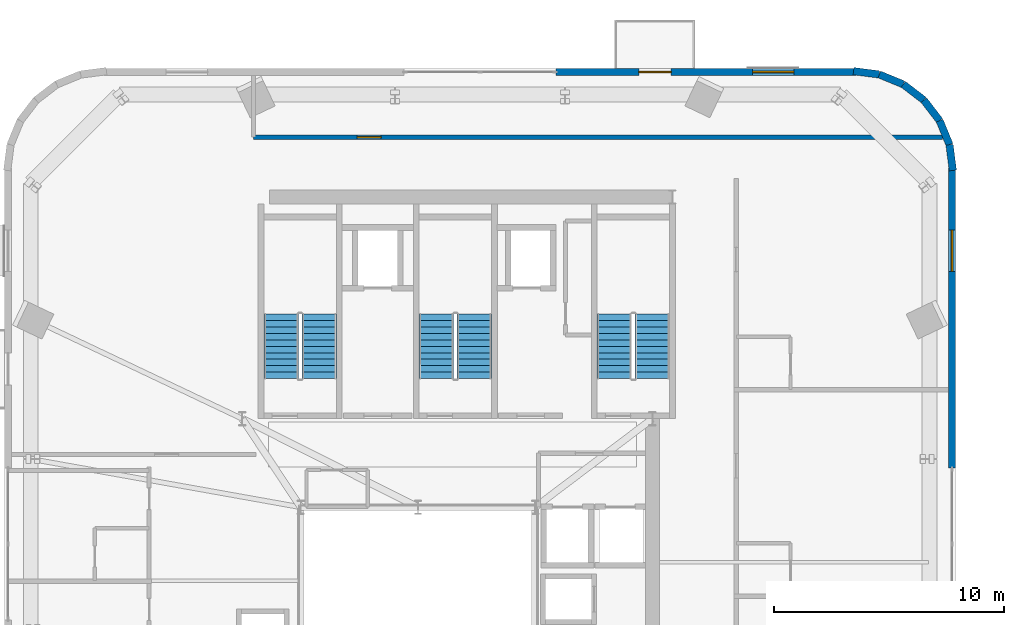
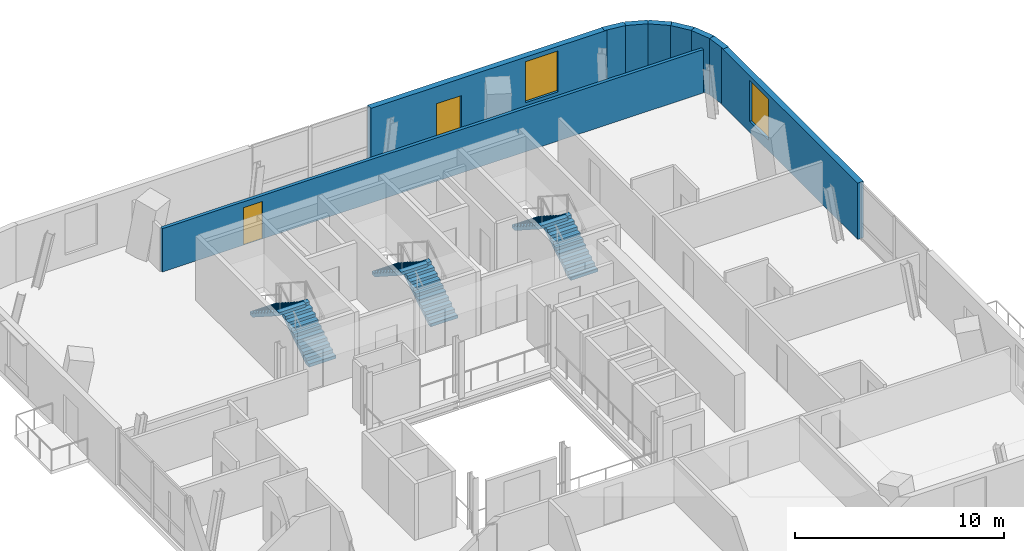
# One storey, part 9 of 13: 9 walls, 6 stair flights, 2 doors, 2 windows, 4 openings, 3 elements without a shape of their own.
"""IFC4 building model written with IfcOpenShell, lengths in metres."""

from ifc_helpers import new_model, si_unit, direction, frame, frame_2d, origin, place, context, subcontext, project, spatial, polyline, rectangle, outline, extrude, source, transform, mapped, material, layer, layer_set, type_object, element, fill, aggregate, save


model = new_model("IFC4")

# Units and contexts
model_context = context("Model", 3, precision=1e-05, world=origin(), true_north=direction((0.0, 1.0)))
body_context = subcontext(model_context, "Body", "Model", "MODEL_VIEW")
ifc_project = project(units=[si_unit("LENGTHUNIT", "METRE"), si_unit("AREAUNIT", "SQUARE_METRE"), si_unit("VOLUMEUNIT", "CUBIC_METRE"), si_unit("PLANEANGLEUNIT", "RADIAN"), si_unit("MASSUNIT", "GRAM", prefix="KILO")], contexts=[model_context])

# Site, building, storey
site_placement = place(None, origin())
site = spatial("IfcSite", under=ifc_project, at=site_placement, CompositionType="ELEMENT")
building_placement = place(site_placement, origin())
building = spatial("IfcBuilding", under=site, at=building_placement, Name="Vardaveli Station Tower", CompositionType="ELEMENT")
storey_placement = place(building_placement, frame((0.0, 0.0, 274.300048828125)))
storey = spatial("IfcBuildingStorey", under=building, at=storey_placement, Name="L70", CompositionType="ELEMENT", Elevation=274.300048828125)

# Wall, openings, door, window
ifc_material_1 = material(Name="Precast concrete C45/55", Category="concrete")
ifc_layer_1 = layer(ifc_material_1, 0.320068359375, Name="Precast concrete C45/55")
ifc_layer_set_1 = layer_set([ifc_layer_1], Name="Precast concrete C45/55")
wall_type_1 = type_object("IfcWallType", Name="WAL-EXT-STONE-320", PredefinedType="SOLIDWALL", material=ifc_layer_set_1)
shared_shape_1 = source(origin(), body_context, "Body", "SweptSolid", [
    extrude(rectangle(XDim=13.052978515625, YDim=0.320068359375, at=frame_2d((6.5263671875, 0.0))), origin(), (0.0, 0.0, 1.0), 3.300048828125),
])
wall_1_placement = place(storey_placement, frame((55.35302734375, 45.739990234375, 0.0), z_axis=(0.0, 0.0, 1.0), x_axis=(-1.0, 0.0, 0.0)))
wall_1 = element("IfcWall", 1, at=wall_1_placement, inside=storey, type_object=wall_type_1, Name="EW-L70-N1", PredefinedType="SOLIDWALL", context=body_context, shape_type="MappedRepresentation", body=[
    mapped(shared_shape_1, transform((0.0, 0.0, 0.0), scale=1.0)),
])
shared_shape_2 = source(origin(), body_context, "Body", "SweptSolid", [
    extrude(rectangle(XDim=1.39990234375, YDim=2.300048828125, at=frame_2d((0.699951171875, 1.14990234375))), frame((0.0, 0.169921875, 0.0), z_axis=(0.0, -1.0, 0.0), x_axis=(1.0, 0.0, 0.0)), (0.0, 0.0, 1.0), 0.340087890625),
])
opening_1_placement = place(wall_1_placement, frame((8.04150390625, 0.0, 0.0)))
opening_1 = element("IfcOpeningElement", 2, at=opening_1_placement, cuts=wall_1, Name="Opening D-09", PredefinedType="OPENING", context=body_context, shape_type="MappedRepresentation", body=[
    mapped(shared_shape_2, transform((0.0, 0.0, 0.0), scale=1.0)),
])
shared_shape_3 = source(origin(), body_context, "Body", "SweptSolid", [
    extrude(rectangle(XDim=1.800048828125, YDim=2.39990234375, at=frame_2d((0.89990234375, 1.199951171875))), frame((0.0, 0.169921875, 0.0), z_axis=(0.0, -1.0, 0.0), x_axis=(1.0, 0.0, 0.0)), (0.0, 0.0, 1.0), 0.340087890625),
])
opening_2_placement = place(wall_1_placement, frame((2.695556640625, 0.0, 0.639892578125)))
opening_2 = element("IfcOpeningElement", 3, at=opening_2_placement, cuts=wall_1, Name="Opening W-05", PredefinedType="OPENING", context=body_context, shape_type="MappedRepresentation", body=[
    mapped(shared_shape_3, transform((0.0, 0.0, 0.0), scale=1.0)),
])
ifc_material_2 = material(Name="Thermally broken aluminium glass", Category="aluminium")
door_type_1 = type_object("IfcDoorType", Name="DR-LOG-1400x2300", OperationType="DOUBLE_DOOR_SLIDING", PredefinedType="DOOR", material=ifc_material_2)
shared_shape_4 = source(origin(), body_context, "Body", "SweptSolid", [
    extrude(rectangle(XDim=1.39990234375, YDim=2.300048828125, at=frame_2d((0.699951171875, 1.14990234375))), frame((0.0, 0.02490234375, 0.0), z_axis=(0.0, -1.0, 0.0), x_axis=(1.0, 0.0, 0.0)), (0.0, 0.0, 1.0), 0.050048828125),
])
door_1_placement = place(opening_1_placement, frame((1.39990234375, 0.0, 0.0), z_axis=(0.0, 0.0, 1.0), x_axis=(-1.0, 0.0, 0.0)))
door_1 = element("IfcDoor", 4, at=door_1_placement, inside=storey, type_object=door_type_1, Name="DLG-L70-N", OperationType="DOUBLE_DOOR_SLIDING", OverallHeight=2.300048828125, OverallWidth=1.39990234375, PredefinedType="DOOR", context=body_context, shape_type="MappedRepresentation", body=[
    mapped(shared_shape_4, transform((0.0, 0.0, 0.0), scale=1.0)),
])
fill(opening_1, door_1)
ifc_material_3 = material(Name="Low-E solar-control glass", Category="glass")
window_type = type_object("IfcWindowType", Name="WIN-HIGH-1800x2400", PartitioningType="SINGLE_PANEL", PredefinedType="WINDOW", material=ifc_material_3)
shared_shape_5 = source(origin(), body_context, "Body", "SweptSolid", [
    extrude(rectangle(XDim=1.800048828125, YDim=2.39990234375, at=frame_2d((0.89990234375, 1.199951171875))), frame((0.0, 0.030029296875, 0.0), z_axis=(0.0, -1.0, 0.0), x_axis=(1.0, 0.0, 0.0)), (0.0, 0.0, 1.0), 0.06005859375),
])
window_1_placement = place(opening_2_placement, origin())
window_1 = element("IfcWindow", 5, at=window_1_placement, inside=storey, type_object=window_type, Name="WN-L70-N1", OverallHeight=2.39990234375, OverallWidth=1.800048828125, PartitioningType="SINGLE_PANEL", PredefinedType="WINDOW", context=body_context, shape_type="MappedRepresentation", body=[
    mapped(shared_shape_5, transform((0.0, 0.0, 0.0), scale=1.0)),
])
fill(opening_2, window_1)

# Wall, opening, window
wall_2_placement = place(storey_placement, frame((59.5400390625, 28.5, 0.0), z_axis=(0.0, 0.0, 1.0), x_axis=(0.0, 1.0, 0.0)))
wall_2 = element("IfcWall", 6, at=wall_2_placement, inside=storey, type_object=wall_type_1, Name="EW-L70-E2", PredefinedType="SOLIDWALL", context=body_context, shape_type="MappedRepresentation", body=[
    mapped(shared_shape_1, transform((0.0, 0.0, 0.0), scale=1.0)),
])
opening_3_placement = place(wall_2_placement, frame((8.557373046875, 0.0, 0.639892578125)))
opening_3 = element("IfcOpeningElement", 7, at=opening_3_placement, cuts=wall_2, Name="Opening W-05", PredefinedType="OPENING", context=body_context, shape_type="MappedRepresentation", body=[
    mapped(shared_shape_3, transform((0.0, 0.0, 0.0), scale=1.0)),
])
window_2_placement = place(opening_3_placement, origin())
window_2 = element("IfcWindow", 8, at=window_2_placement, inside=storey, type_object=window_type, Name="WN-L70-E2", OverallHeight=2.39990234375, OverallWidth=1.800048828125, PartitioningType="SINGLE_PANEL", PredefinedType="WINDOW", context=body_context, shape_type="MappedRepresentation", body=[
    mapped(shared_shape_5, transform((0.0, 0.0, 0.0), scale=1.0)),
])
fill(opening_3, window_2)

# Walls
shared_shape_6 = source(origin(), body_context, "Body", "SweptSolid", [
    extrude(rectangle(XDim=1.1298828125, YDim=0.320068359375, at=frame_2d((0.56494140625, 0.0))), origin(), (0.0, 0.0, 1.0), 3.300048828125),
])
for number, where, z_axis, x_axis, name in (
    (9, (59.574462890625, 41.453857421875, 0.0), (0.0, 0.0, 1.0), (-0.12791648929, 0.991784942297, 0.0), "EW-L70-CR3-1"),
    (10, (56.37451171875, 45.6298828125, 0.0), (0.0, 0.0, 1.0), (-0.991784942297, 0.12791648929, 0.0), "EW-L70-CR3-6"),
):
    element("IfcWall", number, at=place(storey_placement, frame(where, z_axis=z_axis, x_axis=x_axis)), inside=storey, type_object=wall_type_1, Name=name, PredefinedType="SOLIDWALL", context=body_context, shape_type="MappedRepresentation", body=[
        mapped(shared_shape_6, transform((0.0, 0.0, 0.0), scale=1.0)),
    ])
shared_shape_7 = source(origin(), body_context, "Body", "SweptSolid", [
    extrude(rectangle(XDim=1.128662109375, YDim=0.320068359375, at=frame_2d((0.564453125, 0.0))), origin(), (0.0, 0.0, 1.0), 3.300048828125),
])
for number, where, z_axis, x_axis, name in (
    (11, (59.429931640625, 42.574462890625, 0.0), (0.0, 0.0, 1.0), (-0.380880341178, 0.924624337612, 0.0), "EW-L70-CR3-2"),
    (12, (57.418212890625, 45.199951171875, 0.0), (0.0, 0.0, 1.0), (-0.924624337612, 0.380880341178, 0.0), "EW-L70-CR3-5"),
):
    element("IfcWall", number, at=place(storey_placement, frame(where, z_axis=z_axis, x_axis=x_axis)), inside=storey, type_object=wall_type_1, Name=name, PredefinedType="SOLIDWALL", context=body_context, shape_type="MappedRepresentation", body=[
        mapped(shared_shape_7, transform((0.0, 0.0, 0.0), scale=1.0)),
    ])
shared_shape_8 = source(origin(), body_context, "Body", "SweptSolid", [
    extrude(rectangle(XDim=1.128173828125, YDim=0.320068359375, at=frame_2d((0.56396484375, 0.0))), origin(), (0.0, 0.0, 1.0), 3.300048828125),
])
for number, where, z_axis, x_axis, name in (
    (13, (59.0, 43.6181640625, 0.0), (0.0, 0.0, 1.0), (-0.608277074795, 0.793724763554, 0.0), "EW-L70-CR3-3"),
    (14, (58.313720703125, 44.513671875, 0.0), (0.0, 0.0, 1.0), (-0.793724763554, 0.608277074795, 0.0), "EW-L70-CR3-4"),
):
    element("IfcWall", number, at=place(storey_placement, frame(where, z_axis=z_axis, x_axis=x_axis)), inside=storey, type_object=wall_type_1, Name=name, PredefinedType="SOLIDWALL", context=body_context, shape_type="MappedRepresentation", body=[
        mapped(shared_shape_8, transform((0.0, 0.0, 0.0), scale=1.0)),
    ])

# Wall, opening, door
ifc_material_4 = material(Name="Fire-rated gypsum stud partition")
ifc_layer_2 = layer(ifc_material_4, 0.179931640625, Name="Fire-rated gypsum stud partition")
ifc_layer_set_2 = layer_set([ifc_layer_2], Name="Fire-rated gypsum stud partition")
wall_type_2 = type_object("IfcWallType", Name="WAL-CORR-180", PredefinedType="PARTITIONING", material=ifc_layer_set_2)
shared_shape_9 = source(origin(), body_context, "Body", "SweptSolid", [
    extrude(rectangle(XDim=29.970703125, YDim=0.179931640625, at=frame_2d((14.9853515625, 0.0))), origin(), (0.0, 0.0, 1.0), 2.5419921875),
])
wall_3_placement = place(storey_placement, frame((29.14990234375, 42.89990234375, 0.0), z_axis=(0.0, 0.0, 1.0), x_axis=(1.0, 0.0, 0.0)))
wall_3 = element("IfcWall", 15, at=wall_3_placement, inside=storey, type_object=wall_type_2, Name="W-L70-NPS", PredefinedType="PARTITIONING", context=body_context, shape_type="MappedRepresentation", body=[
    mapped(shared_shape_9, transform((0.0, 0.0, 0.0), scale=1.0)),
])
shared_shape_10 = source(origin(), body_context, "Body", "SweptSolid", [
    extrude(rectangle(XDim=1.050048828125, YDim=2.199951171875, at=frame_2d((0.52490234375, 1.10009765625))), frame((0.0, 0.10009765625, 0.0), z_axis=(0.0, -1.0, 0.0), x_axis=(1.0, 0.0, 0.0)), (0.0, 0.0, 1.0), 0.199951171875),
])
opening_4_placement = place(wall_3_placement, frame((4.5, 0.0, 0.0)))
opening_4 = element("IfcOpeningElement", 16, at=opening_4_placement, cuts=wall_3, Name="Opening D-05", PredefinedType="OPENING", context=body_context, shape_type="MappedRepresentation", body=[
    mapped(shared_shape_10, transform((0.0, 0.0, 0.0), scale=1.0)),
])
ifc_material_5 = material(Name="Walnut veneer acoustic fire door")
door_type_2 = type_object("IfcDoorType", Name="DR-SUITE-1050x2200", OperationType="NOTDEFINED", PredefinedType="DOOR", material=ifc_material_5)
shared_shape_11 = source(origin(), body_context, "Body", "SweptSolid", [
    extrude(rectangle(XDim=1.050048828125, YDim=2.199951171875, at=frame_2d((0.52490234375, 1.10009765625))), frame((0.0, 0.02490234375, 0.0), z_axis=(0.0, -1.0, 0.0), x_axis=(1.0, 0.0, 0.0)), (0.0, 0.0, 1.0), 0.050048828125),
])
door_2_placement = place(opening_4_placement, origin())
door_2 = element("IfcDoor", 17, at=door_2_placement, inside=storey, type_object=door_type_2, Name="D-L70-NP1", OperationType="SINGLE_SWING_RIGHT", OverallHeight=2.199951171875, OverallWidth=1.050048828125, PredefinedType="DOOR", context=body_context, shape_type="MappedRepresentation", body=[
    mapped(shared_shape_11, transform((0.0, 0.0, 0.0), scale=1.0)),
])
fill(opening_4, door_2)

# Stair, stair flights
ifc_material_6 = material(Name="Concrete C40/50", Category="concrete")
stair_type = type_object("IfcStairType", Name="STR-CORE-1500", PredefinedType="HALF_TURN_STAIR", material=ifc_material_6)
stair_1_placement = place(storey_placement, origin())
stair_1 = element("IfcStair", 18, at=stair_1_placement, inside=storey, type_object=stair_type, Name="L70 ST-1", PredefinedType="HALF_TURN_STAIR")
stair_flight_type = type_object("IfcStairFlightType", Name="SFL-CORE-1500", PredefinedType="STRAIGHT", material=ifc_material_6)
shared_shape_12 = source(origin(), body_context, "Body", "SweptSolid", [
    extrude(outline(polyline([(0.0, 0.0), (0.0, 0.179443359375), (0.280029296875, 0.179443359375), (0.280029296875, 0.359130859375), (0.56005859375, 0.359130859375), (0.56005859375, 0.53857421875), (0.840087890625, 0.53857421875), (0.840087890625, 0.71826171875), (1.1201171875, 0.71826171875), (1.1201171875, 0.897705078125), (1.39990234375, 0.897705078125), (1.39990234375, 1.077392578125), (1.679931640625, 1.077392578125), (1.679931640625, 1.2568359375), (1.9599609375, 1.2568359375), (1.9599609375, 1.436279296875), (2.239990234375, 1.436279296875), (2.239990234375, 1.615966796875), (2.52001953125, 1.615966796875), (2.52001953125, 1.79541015625), (2.800048828125, 1.79541015625), (2.800048828125, 1.97509765625), (2.800048828125, 1.617431640625), (0.277587890625, 0.0), (0.0, 0.0)])), frame((0.0, 0.75, 0.0), z_axis=(0.0, -1.0, 0.0), x_axis=(1.0, 0.0, 0.0)), (0.0, 0.0, 1.0), 1.5),
])
stair_flight_1_placement = place(storey_placement, frame((32.0, 32.39990234375, 0.0), z_axis=(0.0, 0.0, 1.0), x_axis=(0.0, 1.0, 0.0)))
stair_flight_1 = element("IfcStairFlight", 19, at=stair_flight_1_placement, type_object=stair_flight_type, Name="ST-1 flight 1", NumberOfRisers=11, NumberOfTreads=10, PredefinedType="STRAIGHT", RiserHeight=0.179545455, TreadLength=0.28, context=body_context, shape_type="MappedRepresentation", body=[
    mapped(shared_shape_12, transform((0.0, 0.0, 0.0), scale=1.0)),
])
stair_flight_2_placement = place(storey_placement, frame((30.35009765625, 35.199951171875, 1.974853515625), z_axis=(0.0, 0.0, 1.0), x_axis=(0.0, -1.0, 0.0)))
stair_flight_2 = element("IfcStairFlight", 20, at=stair_flight_2_placement, type_object=stair_flight_type, Name="ST-1 flight 2", NumberOfRisers=11, NumberOfTreads=10, PredefinedType="STRAIGHT", RiserHeight=0.179545455, TreadLength=0.28, context=body_context, shape_type="MappedRepresentation", body=[
    mapped(shared_shape_12, transform((0.0, 0.0, 0.0), scale=1.0)),
])
aggregate(stair_1, [stair_flight_1, stair_flight_2])

stair_2_placement = place(storey_placement, origin())
stair_2 = element("IfcStair", 21, at=stair_2_placement, inside=storey, type_object=stair_type, Name="L70 ST-2", PredefinedType="HALF_TURN_STAIR")
stair_flight_3_placement = place(storey_placement, frame((38.75, 32.39990234375, 0.0), z_axis=(0.0, 0.0, 1.0), x_axis=(0.0, 1.0, 0.0)))
stair_flight_3 = element("IfcStairFlight", 22, at=stair_flight_3_placement, type_object=stair_flight_type, Name="ST-2 flight 1", NumberOfRisers=11, NumberOfTreads=10, PredefinedType="STRAIGHT", RiserHeight=0.179545455, TreadLength=0.28, context=body_context, shape_type="MappedRepresentation", body=[
    mapped(shared_shape_12, transform((0.0, 0.0, 0.0), scale=1.0)),
])
stair_flight_4_placement = place(storey_placement, frame((37.10009765625, 35.199951171875, 1.974853515625), z_axis=(0.0, 0.0, 1.0), x_axis=(0.0, -1.0, 0.0)))
stair_flight_4 = element("IfcStairFlight", 23, at=stair_flight_4_placement, type_object=stair_flight_type, Name="ST-2 flight 2", NumberOfRisers=11, NumberOfTreads=10, PredefinedType="STRAIGHT", RiserHeight=0.179545455, TreadLength=0.28, context=body_context, shape_type="MappedRepresentation", body=[
    mapped(shared_shape_12, transform((0.0, 0.0, 0.0), scale=1.0)),
])
aggregate(stair_2, [stair_flight_3, stair_flight_4])

stair_3_placement = place(storey_placement, origin())
stair_3 = element("IfcStair", 24, at=stair_3_placement, inside=storey, type_object=stair_type, Name="L70 ST-3", PredefinedType="HALF_TURN_STAIR")
stair_flight_5_placement = place(storey_placement, frame((46.5, 32.39990234375, 0.0), z_axis=(0.0, 0.0, 1.0), x_axis=(0.0, 1.0, 0.0)))
stair_flight_5 = element("IfcStairFlight", 25, at=stair_flight_5_placement, type_object=stair_flight_type, Name="ST-3 flight 1", NumberOfRisers=11, NumberOfTreads=10, PredefinedType="STRAIGHT", RiserHeight=0.179545455, TreadLength=0.28, context=body_context, shape_type="MappedRepresentation", body=[
    mapped(shared_shape_12, transform((0.0, 0.0, 0.0), scale=1.0)),
])
stair_flight_6_placement = place(storey_placement, frame((44.85009765625, 35.199951171875, 1.974853515625), z_axis=(0.0, 0.0, 1.0), x_axis=(0.0, -1.0, 0.0)))
stair_flight_6 = element("IfcStairFlight", 26, at=stair_flight_6_placement, type_object=stair_flight_type, Name="ST-3 flight 2", NumberOfRisers=11, NumberOfTreads=10, PredefinedType="STRAIGHT", RiserHeight=0.179545455, TreadLength=0.28, context=body_context, shape_type="MappedRepresentation", body=[
    mapped(shared_shape_12, transform((0.0, 0.0, 0.0), scale=1.0)),
])
aggregate(stair_3, [stair_flight_5, stair_flight_6])

save(model, "model.ifc")
